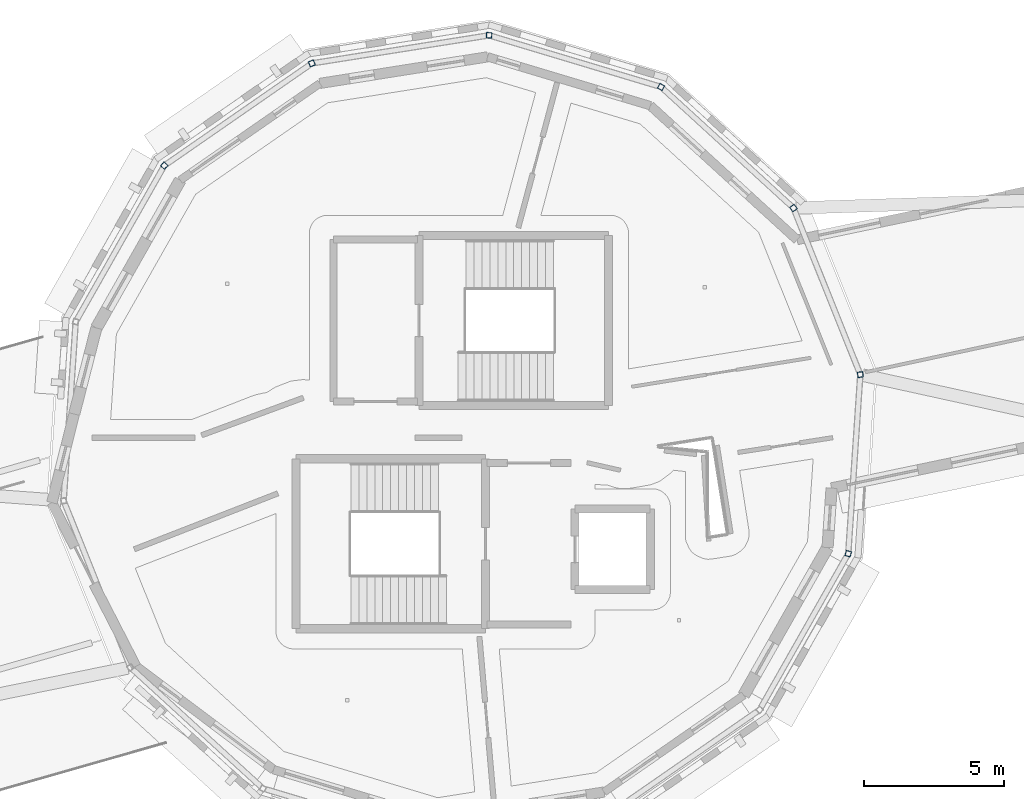
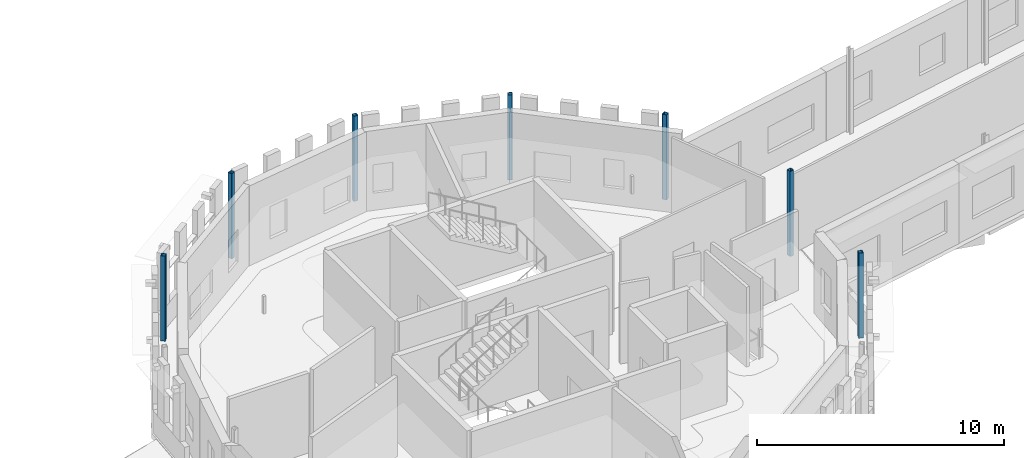
# One storey, part 8 of 90: 7 columns.
"""IFC4 building model written with IfcOpenShell, lengths in metres."""

import ifcopenshell
import ifcopenshell.guid

model = None  # the IFC model being written
_history = None  # IfcOwnerHistory: only IFC2X3 demands one
_inside = {}  # id of a spatial element -> (the spatial element, [elements in it])
_under = {}  # id of a project, library or spatial element -> (it, [spatial elements below it])
_declared = {}  # id of a project -> (the project, [libraries it declares])
_typed = {}  # id of a type object -> (the type object, [elements of that type])
_made_of = {}  # id of a material, layer set ... -> (it, [elements and type objects made of it])


def new_model(schema):
    """Start an empty IFC model of exactly this schema.

    Asked for "IFC4X3", IfcOpenShell would pick the latest addendum, in which some entities
    have other attributes; the version numbers below select the first issue.
    IFC2X3 requires an IfcOwnerHistory on every rooted entity: one is made here for all.
    """
    global model, _history
    if schema == "IFC4X3":
        model = ifcopenshell.file(schema_version=(4, 3, 0, 0))
    else:
        model = ifcopenshell.file(schema=schema)
    _inside.clear()
    _under.clear()
    _declared.clear()
    _typed.clear()
    _made_of.clear()
    _history = None
    if model.schema == "IFC2X3":
        org = make("IfcOrganization", Name="unknown")
        user = make(
            "IfcPersonAndOrganization",
            ThePerson=make("IfcPerson", FamilyName="unknown"),
            TheOrganization=org,
        )
        app = make(
            "IfcApplication",
            ApplicationDeveloper=org,
            Version="unknown",
            ApplicationFullName="unknown",
            ApplicationIdentifier="unknown",
        )
        _history = make(
            "IfcOwnerHistory",
            OwningUser=user,
            OwningApplication=app,
            ChangeAction="ADDED",
            CreationDate=0,
        )
    return model


def make(cls, **values):
    """One entity of the class cls with the attributes given. An attribute that is None is left unset."""
    return model.create_entity(
        cls, **{name: value for name, value in values.items() if value is not None}
    )


def rooted(cls, **values):
    """An entity with a GlobalId (a new one), such as an element, a storey or a relation."""
    return make(cls, GlobalId=ifcopenshell.guid.new(), OwnerHistory=_history, **values)


def si_unit(unit_type, name, prefix=None):
    """IfcSIUnit, for example si_unit("LENGTHUNIT", "METRE", prefix="MILLI")."""
    return make("IfcSIUnit", UnitType=unit_type, Prefix=prefix, Name=name)


def assignment(units):
    """IfcUnitAssignment: the units of a project."""
    return None if units is None else make("IfcUnitAssignment", Units=units)


def point(xyz):
    """IfcCartesianPoint."""
    return None if xyz is None else make("IfcCartesianPoint", Coordinates=xyz)


def direction(xyz):
    """IfcDirection."""
    return None if xyz is None else make("IfcDirection", DirectionRatios=xyz)


def frame(location, z_axis=None, x_axis=None):
    """IfcAxis2Placement3D, a coordinate frame: its origin and axes. An axis left out is left unset."""
    return make(
        "IfcAxis2Placement3D",
        Location=point(location),
        Axis=direction(z_axis),
        RefDirection=direction(x_axis),
    )


def frame_2d(location, x_axis=None):
    """IfcAxis2Placement2D, a coordinate frame in the plane: its origin and x axis."""
    return make(
        "IfcAxis2Placement2D", Location=point(location), RefDirection=direction(x_axis)
    )


def origin():
    """The frame at (0, 0, 0) with its axes left unset."""
    return frame((0.0, 0.0, 0.0))


def origin_2d():
    """The frame at (0, 0) in the plane with its x axis left unset."""
    return frame_2d((0.0, 0.0))


def place(relative_to, where):
    """IfcLocalPlacement: puts the frame where relative to a parent placement (None: the world)."""
    return make(
        "IfcLocalPlacement", PlacementRelTo=relative_to, RelativePlacement=where
    )


def context(
    kind, dimensions, precision=None, world=None, true_north=None, identifier=None
):
    """IfcGeometricRepresentationContext, for example the 3D "Model" context."""
    return make(
        "IfcGeometricRepresentationContext",
        ContextIdentifier=identifier,
        ContextType=kind,
        CoordinateSpaceDimension=dimensions,
        Precision=precision,
        WorldCoordinateSystem=world,
        TrueNorth=true_north,
    )


def subcontext(parent, identifier, kind, view, scale=None):
    """IfcGeometricRepresentationSubContext, for example "Body" below "Model"."""
    return make(
        "IfcGeometricRepresentationSubContext",
        ContextIdentifier=identifier,
        ContextType=kind,
        ParentContext=parent,
        TargetScale=scale,
        TargetView=view,
    )


def project(units=None, contexts=None):
    """IfcProject with its units and contexts."""
    return rooted(
        "IfcProject",
        Name="project",
        RepresentationContexts=contexts,
        UnitsInContext=assignment(units),
    )


def spatial(cls, under=None, at=None, **own):
    """A site, building, storey or space (cls), placed at a placement, below another one or the project."""
    s = rooted(cls, ObjectPlacement=at, **own)
    if under is not None:
        _under.setdefault(under.id(), (under, []))[1].append(s)
    return s


def profile(cls, at=None, kind="AREA", **sizes):
    """A parametric profile (cls). Its sizes go by their IFC names, for example OverallWidth=200.0."""
    return make(cls, ProfileType=kind, Position=at, **sizes)


def hollow_rectangle(**sizes):
    """IfcRectangleHollowProfileDef."""
    return profile("IfcRectangleHollowProfileDef", **sizes)


def extrude(swept, where, along, depth):
    """IfcExtrudedAreaSolid: the profile swept, set in the frame where, extruded along a direction by depth."""
    return make(
        "IfcExtrudedAreaSolid",
        SweptArea=swept,
        Position=where,
        ExtrudedDirection=direction(along),
        Depth=depth,
    )


def shape(context_of_items, identifier, shape_type, items):
    """IfcShapeRepresentation: the items that make up one representation, for example the "Body"."""
    return make(
        "IfcShapeRepresentation",
        ContextOfItems=context_of_items,
        RepresentationIdentifier=identifier,
        RepresentationType=shape_type,
        Items=items,
    )


def material(Name=None, Category=None):
    """IfcMaterial."""
    return make("IfcMaterial", Name=Name, Category=Category)


def material_profile(
    of_material, cross_section, Name=None, Category=None, Priority=None
):
    """IfcMaterialProfile: a cross section and its material."""
    return make(
        "IfcMaterialProfile",
        Name=Name,
        Material=of_material,
        Profile=cross_section,
        Priority=Priority,
        Category=Category,
    )


def profile_set(profiles, Name=None, composite=None):
    """IfcMaterialProfileSet."""
    return make(
        "IfcMaterialProfileSet",
        Name=Name,
        MaterialProfiles=profiles,
        CompositeProfile=composite,
    )


def made_of(thing, what):
    """Note that an element or type object is made of a material, layer set ...; save() writes the relation."""
    if what is not None:
        _made_of.setdefault(what.id(), (what, []))[1].append(thing)
    return thing


def type_object(cls, material=None, **own):
    """A type object (cls), such as IfcWallType, which elements share."""
    return made_of(rooted(cls, **own), material)


def element(
    cls,
    number,
    at=None,
    inside=None,
    cuts=None,
    type_object=None,
    material=None,
    context=None,
    identifier="Body",
    shape_type=None,
    held_by="IfcProductDefinitionShape",
    body=None,
    shapes=None,
    **own,
):
    """One element of the class cls, such as IfcWall. Its Tag is "e" and its number.

    at: its placement. inside: the storey or other place that contains it. cuts: it is an
    opening in that element (IfcRelVoidsElement). A single representation is given by context,
    identifier, shape_type and body (its items); several are given by shapes. held_by: the class
    of the entity that holds the representations. save() writes the other relations.
    """
    e = rooted(cls, Tag="e%d" % number, ObjectPlacement=at, **own)
    if body is not None:
        shapes = [shape(context, identifier, shape_type, body)]
    if shapes is not None:
        e.Representation = make(held_by, Representations=shapes)
    if inside is not None:
        _inside.setdefault(inside.id(), (inside, []))[1].append(e)
    if cuts is not None:
        rooted(
            "IfcRelVoidsElement", RelatingBuildingElement=cuts, RelatedOpeningElement=e
        )
    if type_object is not None:
        _typed.setdefault(type_object.id(), (type_object, []))[1].append(e)
    return made_of(e, material)


def aggregate(whole, parts):
    """IfcRelAggregates: a whole, such as a stair, and the parts it consists of."""
    return rooted("IfcRelAggregates", RelatingObject=whole, RelatedObjects=parts)


def save(model, path):
    """Write the relations noted so far, then the file.

    IfcRelAggregates (storeys below a building ...), IfcRelContainedInSpatialStructure (elements
    in a storey), IfcRelDefinesByType, IfcRelAssociatesMaterial and IfcRelDeclares: one each for
    every whole, place, type object, material and project.
    """
    for whole, parts in _under.values():
        aggregate(whole, parts)
    for where, things in _inside.values():
        rooted(
            "IfcRelContainedInSpatialStructure",
            RelatedElements=things,
            RelatingStructure=where,
        )
    for kind, things in _typed.values():
        rooted("IfcRelDefinesByType", RelatedObjects=things, RelatingType=kind)
    for what, things in _made_of.values():
        rooted("IfcRelAssociatesMaterial", RelatedObjects=things, RelatingMaterial=what)
    for by, libraries in _declared.values():
        rooted("IfcRelDeclares", RelatingContext=by, RelatedDefinitions=libraries)
    model.write(path)


model = new_model("IFC4")

# Units and contexts
model_context = context("Model", 3, precision=1e-05, world=origin(), true_north=direction((0.0, 1.0)))
body_context = subcontext(model_context, "Body", "Model", "MODEL_VIEW")
ifc_project = project(units=[si_unit("LENGTHUNIT", "METRE"), si_unit("AREAUNIT", "SQUARE_METRE"), si_unit("VOLUMEUNIT", "CUBIC_METRE"), si_unit("PLANEANGLEUNIT", "RADIAN"), si_unit("MASSUNIT", "GRAM", prefix="KILO")], contexts=[model_context])

# Site, building, storey
site_placement = place(None, origin())
site = spatial("IfcSite", under=ifc_project, at=site_placement, CompositionType="ELEMENT")
building_placement = place(site_placement, origin())
building = spatial("IfcBuilding", under=site, at=building_placement, Name="Wrenclough Park School", CompositionType="ELEMENT")
storey_placement = place(building_placement, frame((0.0, 0.0, 8.39990234375)))
storey = spatial("IfcBuildingStorey", under=building, at=storey_placement, Name="L02", CompositionType="ELEMENT", Elevation=8.39990234375)

# Columns
ifc_material = material(Name="Structural steel S355", Category="steel")
ifc_material_profile = material_profile(ifc_material, hollow_rectangle(XDim=0.199951171875, YDim=0.199951171875, WallThickness=0.012451171875, InnerFilletRadius=0.012451171875, OuterFilletRadius=0.018798828125, at=origin_2d()), Name="SHS 200x200x12.5")
ifc_profile_set = profile_set([ifc_material_profile], Name="Structural steel S355")
column_type = type_object("IfcColumnType", Name="STR-COL-SHS200", PredefinedType="COLUMN", material=ifc_profile_set)
for number, where, z_axis, x_axis, name in (
    (1, (97.272216796875, 110.760498046875, 0.0), (0.0, 0.0, 1.0), (-0.15643446504, 0.987688340595, 0.0), "D4 L02 column D4-OUT-01"),
    (2, (94.8779296875, 116.72900390625, 0.0), (0.0, 0.0, 1.0), (-0.569423005964, 0.822044670489, 0.0), "D4 L02 column D4-OUT-02"),
    (3, (90.131103515625, 121.06787109375, 0.0), (0.0, 0.0, 1.0), (-0.869753437661, 0.493486532416, 0.0), "D4 L02 column D4-OUT-03"),
    (4, (83.971923828125, 122.917236328125, 0.0), (0.0, 0.0, 1.0), (-0.997731519333, 0.067318759124, 0.0), "D4 L02 column D4-OUT-04"),
    (5, (77.620361328125, 121.911376953125, 0.0), (0.0, 0.0, 1.0), (-0.928096422365, -0.372339939832, 0.0), "D4 L02 column D4-OUT-05"),
    (6, (72.334228515625, 118.2490234375, 0.0), (0.0, 0.0, 1.0), (-0.674688949446, -0.738102175512, 0.0), "D4 L02 column D4-OUT-06"),
    (7, (96.839599609375, 104.34423828125, 0.0), (0.0, 0.0, 1.0), (0.287527687034, 0.957772326385, 0.0), "D4 L02 column D4-OUT-14"),
):
    element("IfcColumn", number, at=place(storey_placement, frame(where, z_axis=z_axis, x_axis=x_axis)), inside=storey, type_object=column_type, Name=name, PredefinedType="COLUMN", context=body_context, shape_type="SweptSolid", body=[
        extrude(hollow_rectangle(XDim=0.199951171875, YDim=0.199951171875, WallThickness=0.012451171875, InnerFilletRadius=0.012451171875, OuterFilletRadius=0.018798828125, at=origin_2d()), origin(), (0.0, 0.0, 1.0), 4.2001953125),
    ])

save(model, "model.ifc")
